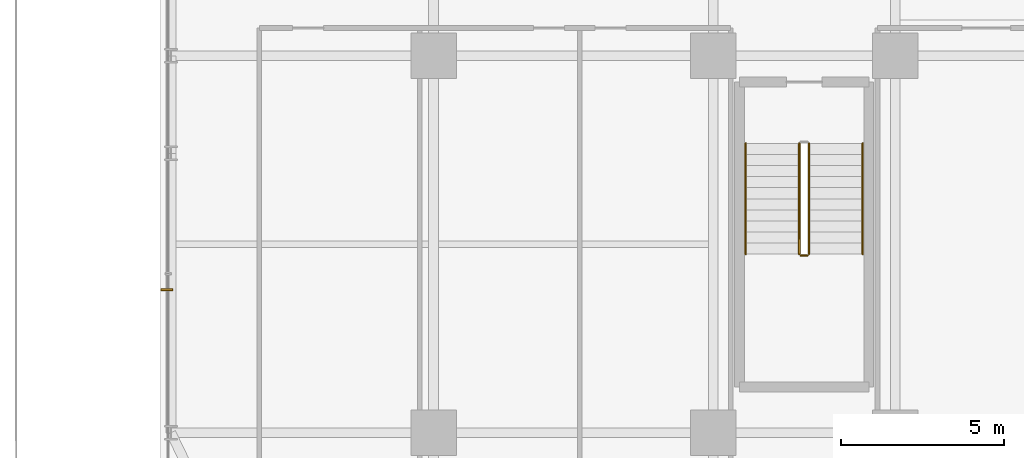
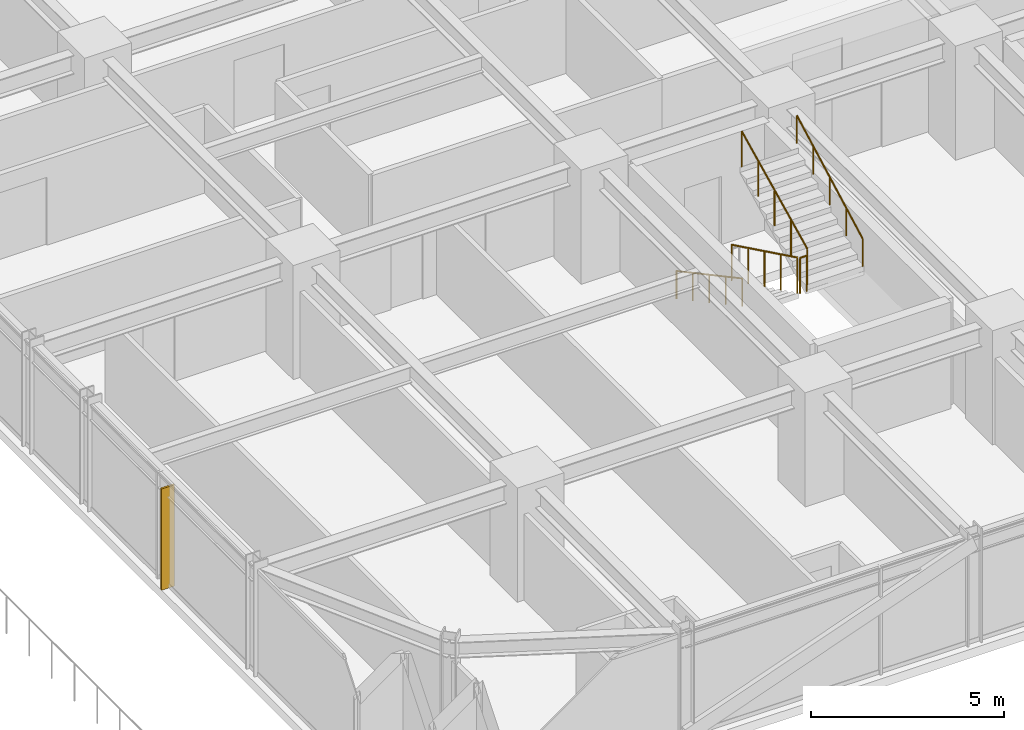
# One storey, part 34 of 39: 5 railings, 1 shading device.
"""IFC4 building model written with IfcOpenShell, lengths in metres."""

from ifc_helpers import new_model, si_unit, direction, frame, origin, origin_2d, place, context, subcontext, project, spatial, rectangle, circle, extrude, source, transform, mapped, material, layer, layer_set, type_object, element, save


model = new_model("IFC4")

# Units and contexts
model_context = context("Model", 3, precision=1e-05, world=origin(), true_north=direction((0.0, 1.0)))
body_context = subcontext(model_context, "Body", "Model", "MODEL_VIEW")
ifc_project = project(units=[si_unit("LENGTHUNIT", "METRE"), si_unit("AREAUNIT", "SQUARE_METRE"), si_unit("VOLUMEUNIT", "CUBIC_METRE"), si_unit("PLANEANGLEUNIT", "RADIAN"), si_unit("MASSUNIT", "GRAM", prefix="KILO")], contexts=[model_context])

# Site, building, storey
site_placement = place(None, origin())
site = spatial("IfcSite", under=ifc_project, at=site_placement, CompositionType="ELEMENT")
building_placement = place(site_placement, origin())
building = spatial("IfcBuilding", under=site, at=building_placement, Name="Nahalor Promenade Grand Hotel", CompositionType="ELEMENT")
storey_placement = place(building_placement, frame((0.0, 0.0, 32.39990234375)))
storey = spatial("IfcBuildingStorey", under=building, at=storey_placement, Name="L06", CompositionType="ELEMENT", Elevation=32.39990234375)

# Railings
ifc_material_1 = material(Name="Steel S355JR", Category="steel")
railing_type_1 = type_object("IfcRailingType", Name="Steel Stair Guardrail 1150 mm", PredefinedType="GUARDRAIL", material=ifc_material_1)
railing_1_placement = place(storey_placement, frame((-5.75, -8.10009765625, 0.166015625)))
element("IfcRailing", 1, at=railing_1_placement, inside=storey, type_object=railing_type_1, Name="L06 ST3 stair guard 1", PredefinedType="GUARDRAIL", context=body_context, shape_type="SweptSolid", body=[
    extrude(circle(Radius=0.024048, at=origin_2d()), frame((0.0, 0.0, 1.1259765625), z_axis=(0.0, -0.898696488221, 0.438571114028), x_axis=(1.0, 0.0, 0.0)), (0.0, 0.0, 1.0), 3.783203125),
    extrude(circle(Radius=0.020996, at=origin_2d()), origin(), (0.0, 0.0, 1.0), 1.099853515625),
    extrude(circle(Radius=0.020996, at=origin_2d()), frame((0.0, -0.85009765625, 0.414794921875)), (0.0, 0.0, 1.0), 1.099853515625),
    extrude(circle(Radius=0.020996, at=origin_2d()), frame((0.0, -1.699951171875, 0.82958984375)), (0.0, 0.0, 1.0), 1.099853515625),
    extrude(circle(Radius=0.020996, at=origin_2d()), frame((0.0, -2.5498046875, 1.244384765625)), (0.0, 0.0, 1.0), 1.099853515625),
    extrude(circle(Radius=0.020996, at=origin_2d()), frame((0.0, -3.39990234375, 1.6591796875)), (0.0, 0.0, 1.0), 1.099853515625),
])
railing_2_placement = place(storey_placement, frame((-5.699951171875, -11.550048828125, 1.8251953125)))
element("IfcRailing", 2, at=railing_2_placement, inside=storey, type_object=railing_type_1, Name="L06 ST3 stair guard 2", PredefinedType="GUARDRAIL", context=body_context, shape_type="SweptSolid", body=[
    extrude(circle(Radius=0.024048, at=origin_2d()), frame((0.0, 0.0, 1.1259765625), z_axis=(1.0, 0.0, 0.0), x_axis=(0.0, 1.0, 0.0)), (0.0, 0.0, 1.0), 0.199951171875),
    extrude(circle(Radius=0.020996, at=origin_2d()), origin(), (0.0, 0.0, 1.0), 1.099853515625),
    extrude(circle(Radius=0.020996, at=origin_2d()), frame((0.199951171875, 0.0, 0.0)), (0.0, 0.0, 1.0), 1.099853515625),
])
railing_3_placement = place(storey_placement, frame((-5.449951171875, -11.5, 1.990966796875)))
element("IfcRailing", 3, at=railing_3_placement, inside=storey, type_object=railing_type_1, Name="L06 ST3 stair guard 3", PredefinedType="GUARDRAIL", context=body_context, shape_type="SweptSolid", body=[
    extrude(circle(Radius=0.024048, at=origin_2d()), frame((0.0, 0.0, 1.1259765625), z_axis=(0.0, 0.898696488221, 0.438571114028), x_axis=(-1.0, 0.0, 0.0)), (0.0, 0.0, 1.0), 3.783203125),
    extrude(circle(Radius=0.020996, at=origin_2d()), origin(), (0.0, 0.0, 1.0), 1.099853515625),
    extrude(circle(Radius=0.020996, at=origin_2d()), frame((0.0, 0.85009765625, 0.414794921875)), (0.0, 0.0, 1.0), 1.099853515625),
    extrude(circle(Radius=0.020996, at=origin_2d()), frame((0.0, 1.699951171875, 0.82958984375)), (0.0, 0.0, 1.0), 1.099853515625),
    extrude(circle(Radius=0.020996, at=origin_2d()), frame((0.0, 2.5498046875, 1.244384765625)), (0.0, 0.0, 1.0), 1.099853515625),
    extrude(circle(Radius=0.020996, at=origin_2d()), frame((0.0, 3.39990234375, 1.6591796875)), (0.0, 0.0, 1.0), 1.099853515625),
])
railing_type_2 = type_object("IfcRailingType", Name="Steel Stair Handrail 900 mm", PredefinedType="HANDRAIL", material=ifc_material_1)
railing_4_placement = place(storey_placement, frame((-7.39990234375, -8.10009765625, 0.166015625)))
element("IfcRailing", 4, at=railing_4_placement, inside=storey, type_object=railing_type_2, Name="L06 ST3 stair handrail 1", PredefinedType="HANDRAIL", context=body_context, shape_type="SweptSolid", body=[
    extrude(circle(Radius=0.024048, at=origin_2d()), frame((0.0, 0.0, 0.8759765625), z_axis=(0.0, -0.881094038095, 0.47294111265), x_axis=(1.0, 0.0, 0.0)), (0.0, 0.0, 1.0), 3.858642578125),
    extrude(circle(Radius=0.020996, at=origin_2d()), origin(), (0.0, 0.0, 1.0), 0.849853515625),
    extrude(circle(Radius=0.020996, at=origin_2d()), frame((0.0, -0.85009765625, 0.456298828125)), (0.0, 0.0, 1.0), 0.849853515625),
    extrude(circle(Radius=0.020996, at=origin_2d()), frame((0.0, -1.699951171875, 0.91259765625)), (0.0, 0.0, 1.0), 0.849853515625),
    extrude(circle(Radius=0.020996, at=origin_2d()), frame((0.0, -2.5498046875, 1.36865234375)), (0.0, 0.0, 1.0), 0.849853515625),
    extrude(circle(Radius=0.020996, at=origin_2d()), frame((0.0, -3.39990234375, 1.824951171875)), (0.0, 0.0, 1.0), 0.849853515625),
])
railing_5_placement = place(storey_placement, frame((-3.800048828125, -11.5, 1.990966796875)))
element("IfcRailing", 5, at=railing_5_placement, inside=storey, type_object=railing_type_2, Name="L06 ST3 stair handrail 2", PredefinedType="HANDRAIL", context=body_context, shape_type="SweptSolid", body=[
    extrude(circle(Radius=0.024048, at=origin_2d()), frame((0.0, 0.0, 0.8759765625), z_axis=(0.0, 0.881094038095, 0.47294111265), x_axis=(-1.0, 0.0, 0.0)), (0.0, 0.0, 1.0), 3.858642578125),
    extrude(circle(Radius=0.020996, at=origin_2d()), origin(), (0.0, 0.0, 1.0), 0.849853515625),
    extrude(circle(Radius=0.020996, at=origin_2d()), frame((0.0, 0.85009765625, 0.456298828125)), (0.0, 0.0, 1.0), 0.849853515625),
    extrude(circle(Radius=0.020996, at=origin_2d()), frame((0.0, 1.699951171875, 0.91259765625)), (0.0, 0.0, 1.0), 0.849853515625),
    extrude(circle(Radius=0.020996, at=origin_2d()), frame((0.0, 2.5498046875, 1.36865234375)), (0.0, 0.0, 1.0), 0.849853515625),
    extrude(circle(Radius=0.020996, at=origin_2d()), frame((0.0, 3.39990234375, 1.824951171875)), (0.0, 0.0, 1.0), 0.849853515625),
])

# Shading device
ifc_material_2 = material(Name="Anodised Bronze Aluminium EN AW-6063 T6", Category="aluminium")
ifc_layer = layer(ifc_material_2, 0.06005859375)
ifc_layer_set = layer_set([ifc_layer], Name="Anodised Bronze Aluminium EN AW-6063 T6")
shading_device_type = type_object("IfcShadingDeviceType", Name="Shade-SolarFin-Bronze", PredefinedType="JALOUSIE", material=ifc_layer_set)
shared_shape = source(origin(), body_context, "Body", "SweptSolid", [
    extrude(rectangle(XDim=0.3798828125, YDim=0.06005859375, at=origin_2d()), origin(), (0.0, 0.0, 1.0), 3.199951171875),
])
shading_device_placement = place(storey_placement, frame((-25.2099609375, -12.60009765625, 0.0), z_axis=(0.0, 0.0, 1.0), x_axis=(1.0, 0.0, 0.0)))
element("IfcShadingDevice", 6, at=shading_device_placement, inside=storey, type_object=shading_device_type, Name="JAL-L06-W1", PredefinedType="JALOUSIE", context=body_context, shape_type="MappedRepresentation", body=[
    mapped(shared_shape, transform((0.0, 0.0, 0.0), scale=1.0)),
])

save(model, "model.ifc")
